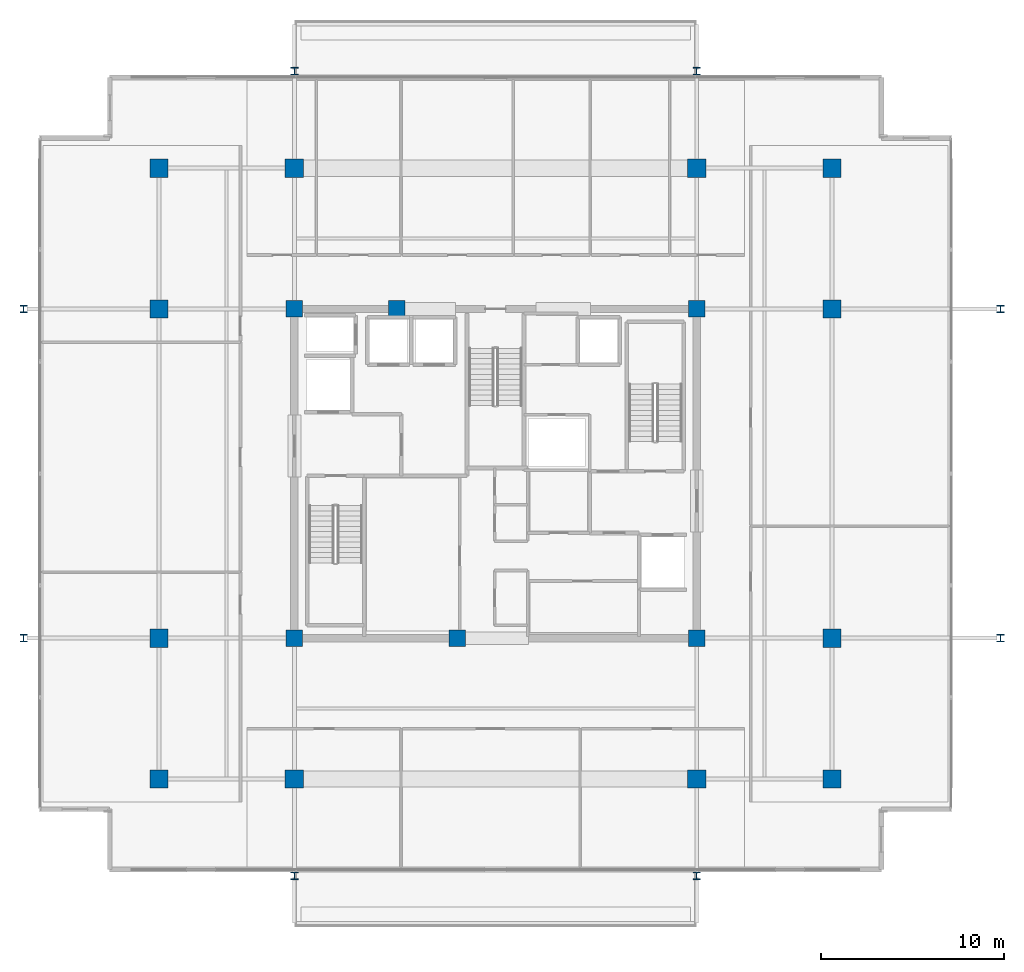
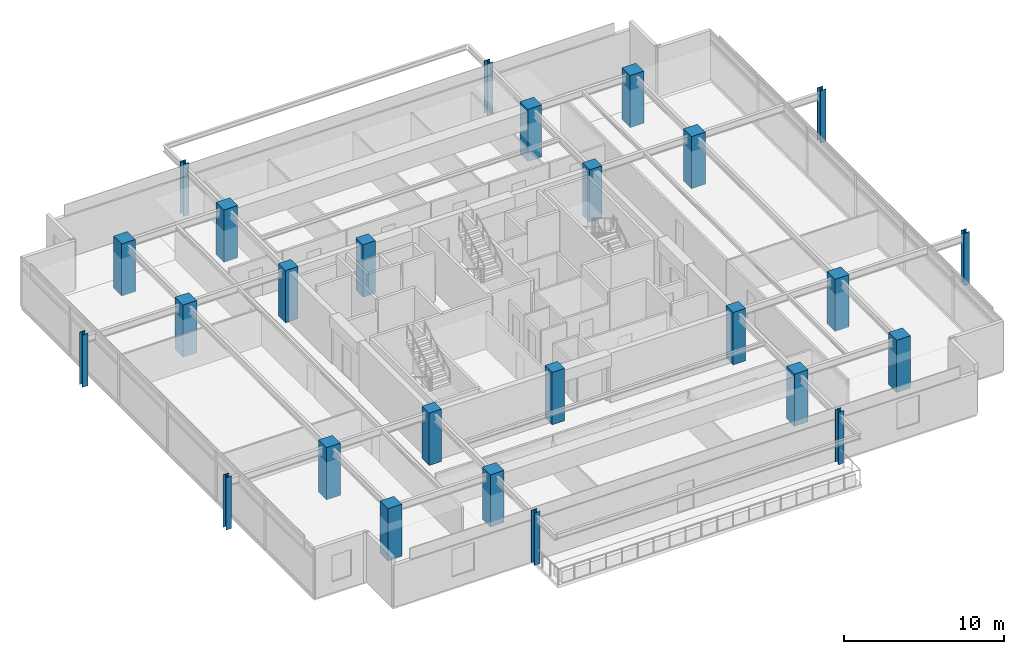
# One storey, part 1 of 20: 26 columns.
"""IFC4 building model written with IfcOpenShell, lengths in metres."""

from ifc_helpers import new_model, si_unit, direction, frame, origin, origin_2d, place, context, subcontext, project, spatial, rectangle, i_section, extrude, material, material_profile, profile_set, type_object, element, save


model = new_model("IFC4")

# Units and contexts
model_context = context("Model", 3, precision=1e-05, world=origin(), true_north=direction((0.0, 1.0)))
body_context = subcontext(model_context, "Body", "Model", "MODEL_VIEW")
ifc_project = project(units=[si_unit("LENGTHUNIT", "METRE"), si_unit("AREAUNIT", "SQUARE_METRE"), si_unit("VOLUMEUNIT", "CUBIC_METRE"), si_unit("PLANEANGLEUNIT", "RADIAN"), si_unit("MASSUNIT", "GRAM", prefix="KILO")], contexts=[model_context])

# Site, building, storey
site_placement = place(None, origin())
site = spatial("IfcSite", under=ifc_project, at=site_placement, CompositionType="ELEMENT")
building_placement = place(site_placement, origin())
building = spatial("IfcBuilding", under=site, at=building_placement, Name="Kovane Verandah Tower", CompositionType="ELEMENT")
storey_placement = place(building_placement, frame((0.0, 0.0, 322.800048828125)))
storey = spatial("IfcBuildingStorey", under=building, at=storey_placement, Name="L75", CompositionType="ELEMENT", Elevation=322.800048828125)

# Columns
ifc_material_1 = material(Name="Concrete C60/75", Category="concrete")
ifc_material_profile_1 = material_profile(ifc_material_1, rectangle(XDim=1.0, YDim=1.0, at=origin_2d()), Name="RC1000x1000")
ifc_profile_set_1 = profile_set([ifc_material_profile_1], Name="Concrete C60/75")
column_type_1 = type_object("IfcColumnType", Name="COL-RC1000", PredefinedType="COLUMN", material=ifc_profile_set_1)
for number, where, z_axis, x_axis, name in (
    (1, (29.0, 10.800048828125, 0.0), (0.0, 0.0, 1.0), (1.0, 0.0, 0.0), "L75 Tower Mega-Column MC-S1"),
    (2, (51.0, 10.800048828125, 0.0), (0.0, 0.0, 1.0), (1.0, 0.0, 0.0), "L75 Tower Mega-Column MC-S2"),
    (3, (29.0, 44.199951171875, 0.0), (0.0, 0.0, 1.0), (1.0, 0.0, 0.0), "L75 Tower Mega-Column MC-N1"),
    (4, (51.0, 44.199951171875, 0.0), (0.0, 0.0, 1.0), (1.0, 0.0, 0.0), "L75 Tower Mega-Column MC-N2"),
    (5, (21.60009765625, 18.5, 0.0), (0.0, 0.0, 1.0), (1.0, 0.0, 0.0), "L75 Tower Mega-Column MC-W1"),
    (6, (21.60009765625, 36.5, 0.0), (0.0, 0.0, 1.0), (1.0, 0.0, 0.0), "L75 Tower Mega-Column MC-W2"),
    (7, (58.39990234375, 18.5, 0.0), (0.0, 0.0, 1.0), (1.0, 0.0, 0.0), "L75 Tower Mega-Column MC-E1"),
    (8, (58.39990234375, 36.5, 0.0), (0.0, 0.0, 1.0), (1.0, 0.0, 0.0), "L75 Tower Mega-Column MC-E2"),
    (9, (21.60009765625, 10.800048828125, 0.0), (0.0, 0.0, 1.0), (1.0, 0.0, 0.0), "L75 Tower Mega-Column MC-SW"),
    (10, (58.39990234375, 10.800048828125, 0.0), (0.0, 0.0, 1.0), (1.0, 0.0, 0.0), "L75 Tower Mega-Column MC-SE"),
    (11, (21.60009765625, 44.199951171875, 0.0), (0.0, 0.0, 1.0), (1.0, 0.0, 0.0), "L75 Tower Mega-Column MC-NW"),
    (12, (58.39990234375, 44.199951171875, 0.0), (0.0, 0.0, 1.0), (1.0, 0.0, 0.0), "L75 Tower Mega-Column MC-NE"),
):
    element("IfcColumn", number, at=place(storey_placement, frame(where, z_axis=z_axis, x_axis=x_axis)), inside=storey, type_object=column_type_1, Name=name, PredefinedType="COLUMN", context=body_context, shape_type="SweptSolid", body=[
        extrude(rectangle(XDim=1.0, YDim=1.0, at=origin_2d()), origin(), (0.0, 0.0, 1.0), 4.0),
    ])
ifc_material_2 = material(Name="Steel S460", Category="steel")
ifc_material_profile_2 = material_profile(ifc_material_2, i_section(OverallWidth=0.403076171875, OverallDepth=0.406494140625, WebThickness=0.026611328125, FlangeThickness=0.04296875, FilletRadius=0.01513671875, at=origin_2d()), Name="UC356x406x340")
ifc_profile_set_2 = profile_set([ifc_material_profile_2], Name="Steel S460")
column_type_2 = type_object("IfcColumnType", Name="COL-UC340", PredefinedType="COLUMN", material=ifc_profile_set_2)
for number, where, z_axis, x_axis, name in (
    (13, (14.199951171875, 18.5, 0.0), (0.0, 0.0, 1.0), (1.0, 0.0, 0.0), "L75 Verandah Perimeter Column VC-W1"),
    (14, (14.199951171875, 36.5, 0.0), (0.0, 0.0, 1.0), (1.0, 0.0, 0.0), "L75 Verandah Perimeter Column VC-W2"),
    (15, (67.60009765625, 18.5, 0.0), (0.0, 0.0, 1.0), (1.0, 0.0, 0.0), "L75 Verandah Perimeter Column VC-E1"),
    (16, (67.60009765625, 36.5, 0.0), (0.0, 0.0, 1.0), (1.0, 0.0, 0.0), "L75 Verandah Perimeter Column VC-E2"),
    (17, (29.0, 5.5, 0.0), (0.0, 0.0, 1.0), (1.0, 0.0, 0.0), "L75 Verandah Perimeter Column VC-S1"),
    (18, (51.0, 5.5, 0.0), (0.0, 0.0, 1.0), (1.0, 0.0, 0.0), "L75 Verandah Perimeter Column VC-S2"),
    (19, (29.0, 49.5, 0.0), (0.0, 0.0, 1.0), (1.0, 0.0, 0.0), "L75 Verandah Perimeter Column VC-N1"),
    (20, (51.0, 49.5, 0.0), (0.0, 0.0, 1.0), (1.0, 0.0, 0.0), "L75 Verandah Perimeter Column VC-N2"),
):
    element("IfcColumn", number, at=place(storey_placement, frame(where, z_axis=z_axis, x_axis=x_axis)), inside=storey, type_object=column_type_2, Name=name, PredefinedType="COLUMN", context=body_context, shape_type="SweptSolid", body=[
        extrude(i_section(OverallWidth=0.403076171875, OverallDepth=0.406494140625, WebThickness=0.026611328125, FlangeThickness=0.04296875, FilletRadius=0.01513671875, at=origin_2d()), origin(), (0.0, 0.0, 1.0), 4.0),
    ])
ifc_material_profile_3 = material_profile(ifc_material_1, rectangle(XDim=0.89990234375, YDim=0.89990234375, at=origin_2d()), Name="RC900x900")
ifc_profile_set_3 = profile_set([ifc_material_profile_3], Name="Concrete C60/75")
column_type_3 = type_object("IfcColumnType", Name="PIL-RC900", PredefinedType="PILASTER", material=ifc_profile_set_3)
for number, where, z_axis, x_axis, name in (
    (21, (29.0, 18.5, 0.0), (0.0, 0.0, 1.0), (1.0, 0.0, 0.0), "L75 Core Pilaster CP-SW"),
    (22, (51.0, 18.5, 0.0), (0.0, 0.0, 1.0), (1.0, 0.0, 0.0), "L75 Core Pilaster CP-SE"),
    (23, (29.0, 36.5, 0.0), (0.0, 0.0, 1.0), (1.0, 0.0, 0.0), "L75 Core Pilaster CP-NW"),
    (24, (51.0, 36.5, 0.0), (0.0, 0.0, 1.0), (1.0, 0.0, 0.0), "L75 Core Pilaster CP-NE"),
    (25, (37.89990234375, 18.5, 0.0), (0.0, 0.0, 1.0), (1.0, 0.0, 0.0), "L75 Core Pilaster CP-S"),
    (26, (34.60009765625, 36.5, 0.0), (0.0, 0.0, 1.0), (1.0, 0.0, 0.0), "L75 Core Pilaster CP-N"),
):
    element("IfcColumn", number, at=place(storey_placement, frame(where, z_axis=z_axis, x_axis=x_axis)), inside=storey, type_object=column_type_3, Name=name, PredefinedType="PILASTER", context=body_context, shape_type="SweptSolid", body=[
        extrude(rectangle(XDim=0.89990234375, YDim=0.89990234375, at=origin_2d()), origin(), (0.0, 0.0, 1.0), 4.0),
    ])

save(model, "model.ifc")
